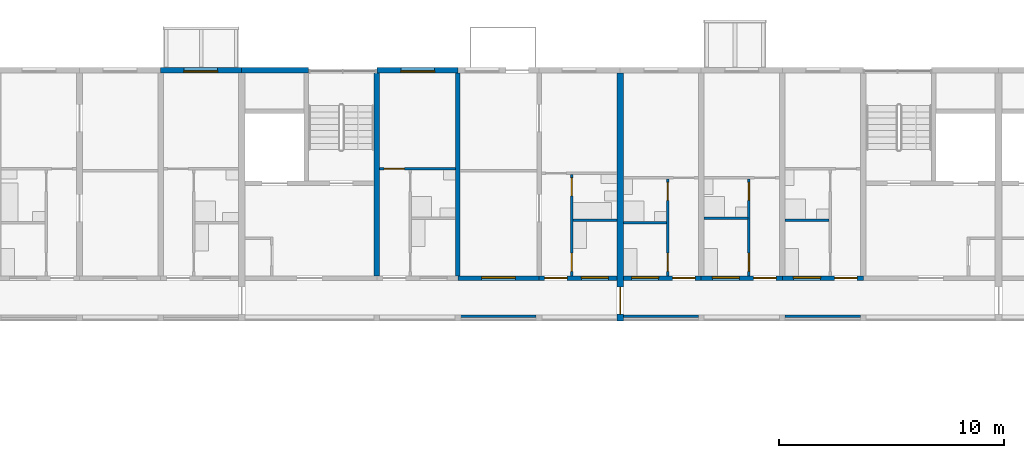
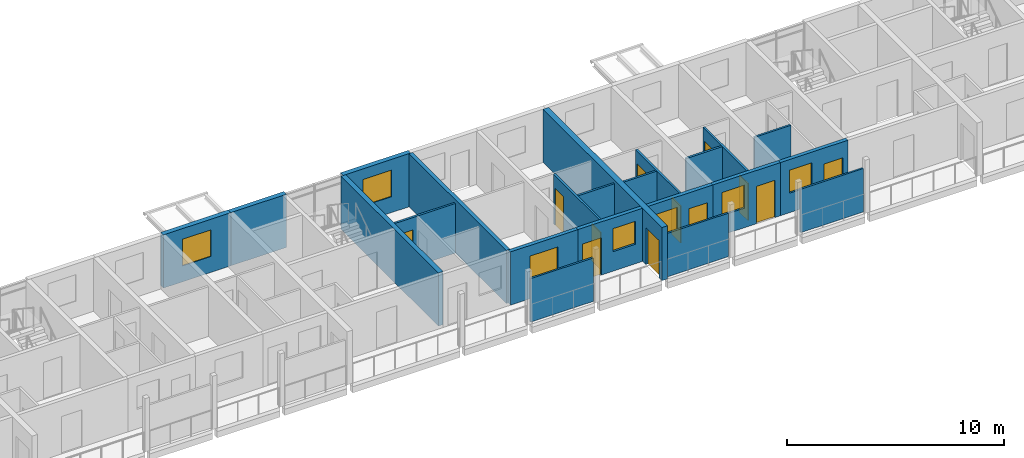
# One storey, part 70 of 115: 22 walls, 12 doors, 7 windows, 19 openings.
"""IFC4 building model written with IfcOpenShell, lengths in metres."""

from ifc_helpers import new_model, si_unit, direction, frame, frame_2d, origin, place, context, subcontext, project, spatial, rectangle, extrude, material, layer, layer_set, type_object, element, fill, save


model = new_model("IFC4")

# Units and contexts
model_context = context("Model", 3, precision=1e-05, world=origin(), true_north=direction((0.0, 1.0)))
body_context = subcontext(model_context, "Body", "Model", "MODEL_VIEW")
ifc_project = project(units=[si_unit("LENGTHUNIT", "METRE"), si_unit("AREAUNIT", "SQUARE_METRE"), si_unit("VOLUMEUNIT", "CUBIC_METRE"), si_unit("PLANEANGLEUNIT", "RADIAN"), si_unit("MASSUNIT", "GRAM", prefix="KILO")], contexts=[model_context])

# Site, building, storey
site_placement = place(None, origin())
site = spatial("IfcSite", under=ifc_project, at=site_placement, CompositionType="ELEMENT")
building_placement = place(site_placement, origin())
building = spatial("IfcBuilding", under=site, at=building_placement, Name="Ridgestep Commons", CompositionType="ELEMENT")
storey_placement = place(building_placement, frame((0.0, 0.0, 6.0)))
storey = spatial("IfcBuildingStorey", under=building, at=storey_placement, Name="L02", CompositionType="ELEMENT", Elevation=6.0)

# Walls
ifc_material_1 = material(Name="Concrete C30/37", Category="concrete")
ifc_layer_1 = layer(ifc_material_1, 0.25)
ifc_layer_set_1 = layer_set([ifc_layer_1], Name="Core cross wall 250")
wall_type_1 = type_object("IfcWallType", Name="Core cross wall 250", PredefinedType="SHEAR", material=ifc_layer_set_1)
wall_1_placement = place(storey_placement, frame((203.199951171875, 68.0, 0.0), z_axis=(0.0, 0.0, 1.0), x_axis=(0.0, 1.0, 0.0)))
element("IfcWall", 1, at=wall_1_placement, inside=storey, type_object=wall_type_1, Name="Cross wall C-02-2032", PredefinedType="SHEAR", context=body_context, shape_type="SweptSolid", body=[
    extrude(rectangle(XDim=9.0, YDim=0.25, at=frame_2d((4.5, 0.0))), origin(), (0.0, 0.0, 1.0), 3.0),
])
ifc_material_2 = material(Name="Precast concrete C40/50", Category="concrete")
ifc_layer_2 = layer(ifc_material_2, 0.199951171875)
ifc_layer_set_2 = layer_set([ifc_layer_2], Name="Cross wall 200")
wall_type_2 = type_object("IfcWallType", Name="Cross wall 200", PredefinedType="SHEAR", material=ifc_layer_set_2)
wall_2_placement = place(storey_placement, frame((206.800048828125, 68.0, 0.0), z_axis=(0.0, 0.0, 1.0), x_axis=(0.0, 1.0, 0.0)))
element("IfcWall", 2, at=wall_2_placement, inside=storey, type_object=wall_type_2, Name="Cross wall C-02-2068", PredefinedType="SHEAR", context=body_context, shape_type="SweptSolid", body=[
    extrude(rectangle(XDim=9.0, YDim=0.199951171875, at=frame_2d((4.5, 0.0))), origin(), (0.0, 0.0, 1.0), 3.0),
])

# Wall, opening, door
ifc_material_3 = material(Name="Precast concrete C40/50", Category="concrete")
ifc_layer_3 = layer(ifc_material_3, 0.300048828125)
ifc_layer_set_3 = layer_set([ifc_layer_3], Name="Division wall 300")
wall_type_3 = type_object("IfcWallType", Name="Division wall 300", PredefinedType="SHEAR", material=ifc_layer_set_3)
wall_3_placement = place(storey_placement, frame((214.0, 66.0, 0.0), z_axis=(0.0, 0.0, 1.0), x_axis=(0.0, 1.0, 0.0)))
wall_3 = element("IfcWall", 3, at=wall_3_placement, inside=storey, type_object=wall_type_3, Name="Cross wall C-02-2140", PredefinedType="SHEAR", context=body_context, shape_type="SweptSolid", body=[
    extrude(rectangle(XDim=11.0, YDim=0.300048828125, at=frame_2d((5.5, 0.0))), origin(), (0.0, 0.0, 1.0), 3.0),
])
opening_1_placement = place(wall_3_placement, frame((0.300048828125, 0.0, 0.0)))
opening_1 = element("IfcOpeningElement", 4, at=opening_1_placement, cuts=wall_3, Name="Opening C/02/G2140", PredefinedType="OPENING", context=body_context, shape_type="SweptSolid", body=[
    extrude(rectangle(XDim=1.199951171875, YDim=2.10009765625, at=frame_2d((0.60009765625, 1.050048828125))), frame((0.0, 0.159912109375, 0.0), z_axis=(0.0, -1.0, 0.0), x_axis=(1.0, 0.0, 0.0)), (0.0, 0.0, 1.0), 0.320068359375),
])
ifc_material_4 = material(Name="Steel fire door", Category="steel")
door_type_1 = type_object("IfcDoorType", Name="Division fire door 1200 x 2100 EI 240", OperationType="DOUBLE_DOOR_SINGLE_SWING", PredefinedType="DOOR", material=ifc_material_4)
door_1_placement = place(opening_1_placement, origin())
door_1 = element("IfcDoor", 5, at=door_1_placement, inside=storey, type_object=door_type_1, Name="Division fire door C/02/G2140", OperationType="DOUBLE_DOOR_SINGLE_SWING", OverallHeight=2.10009765625, OverallWidth=1.199951171875, PredefinedType="DOOR", context=body_context, shape_type="SweptSolid", body=[
    extrude(rectangle(XDim=1.199951171875, YDim=2.10009765625, at=frame_2d((0.60009765625, 1.050048828125))), frame((0.0, 0.02490234375, 0.0), z_axis=(0.0, -1.0, 0.0), x_axis=(1.0, 0.0, 0.0)), (0.0, 0.0, 1.0), 0.050048828125),
])
fill(opening_1, door_1)

# Wall, opening, window
ifc_material_5 = material(Name="Precast concrete C40/50", Category="concrete")
ifc_layer_4 = layer(ifc_material_5, 0.25)
ifc_layer_set_4 = layer_set([ifc_layer_4], Name="North facade panel 250")
wall_type_4 = type_object("IfcWallType", Name="North facade panel 250", PredefinedType="SOLIDWALL", material=ifc_layer_set_4)
wall_4_placement = place(storey_placement, frame((193.60009765625, 77.125, 0.0), z_axis=(0.0, 0.0, 1.0), x_axis=(1.0, 0.0, 0.0)))
wall_4 = element("IfcWall", 6, at=wall_4_placement, inside=storey, type_object=wall_type_4, Name="North panel C3T1 L02", PredefinedType="SOLIDWALL", context=body_context, shape_type="SweptSolid", body=[
    extrude(rectangle(XDim=3.599853515625, YDim=0.25, at=frame_2d((1.7998046875, 0.0))), origin(), (0.0, 0.0, 1.0), 3.0),
])
opening_2_placement = place(wall_4_placement, frame((1.03759765625, 0.0, 0.89990234375)))
opening_2 = element("IfcOpeningElement", 7, at=opening_2_placement, cuts=wall_4, Name="Opening W16", PredefinedType="OPENING", context=body_context, shape_type="SweptSolid", body=[
    extrude(rectangle(XDim=1.5, YDim=1.5, at=frame_2d((0.75, 0.75))), frame((0.0, 0.135009765625, 0.0), z_axis=(0.0, -1.0, 0.0), x_axis=(1.0, 0.0, 0.0)), (0.0, 0.0, 1.0), 0.27001953125),
])
ifc_material_6 = material(Name="Aluminium 6063-T6 and glass", Category="aluminium")
window_type_1 = type_object("IfcWindowType", Name="Flat window 1500 x 1500", PartitioningType="DOUBLE_PANEL_VERTICAL", PredefinedType="WINDOW", material=ifc_material_6)
window_1_placement = place(opening_2_placement, origin())
window_1 = element("IfcWindow", 8, at=window_1_placement, inside=storey, type_object=window_type_1, Name="Window C3-02a 2", OverallHeight=1.5, OverallWidth=1.5, PartitioningType="SINGLE_PANEL", PredefinedType="WINDOW", context=body_context, shape_type="SweptSolid", body=[
    extrude(rectangle(XDim=1.5, YDim=1.5, at=frame_2d((0.75, 0.75))), frame((0.0, -0.02490234375, 0.0), z_axis=(0.0, -1.0, 0.0), x_axis=(1.0, 0.0, 0.0)), (0.0, 0.0, 1.0), 0.06005859375),
])
fill(opening_2, window_1)

# Wall
wall_5_placement = place(storey_placement, frame((197.199951171875, 77.125, 0.0), z_axis=(0.0, 0.0, 1.0), x_axis=(1.0, 0.0, 0.0)))
element("IfcWall", 9, at=wall_5_placement, inside=storey, type_object=wall_type_4, Name="North panel C4C L02", PredefinedType="SOLIDWALL", context=body_context, shape_type="SweptSolid", body=[
    extrude(rectangle(XDim=2.97509765625, YDim=0.25, at=frame_2d((1.487548828125, 0.0))), origin(), (0.0, 0.0, 1.0), 3.0),
])

# Wall, opening, window
wall_6_placement = place(storey_placement, frame((203.199951171875, 77.125, 0.0), z_axis=(0.0, 0.0, 1.0), x_axis=(1.0, 0.0, 0.0)))
wall_6 = element("IfcWall", 10, at=wall_6_placement, inside=storey, type_object=wall_type_4, Name="North panel C4T3 L02", PredefinedType="SOLIDWALL", context=body_context, shape_type="SweptSolid", body=[
    extrude(rectangle(XDim=3.60009765625, YDim=0.25, at=frame_2d((1.800048828125, 0.0))), origin(), (0.0, 0.0, 1.0), 3.0),
])
opening_3_placement = place(wall_6_placement, frame((1.0625, 0.0, 0.89990234375)))
opening_3 = element("IfcOpeningElement", 11, at=opening_3_placement, cuts=wall_6, Name="Opening W16", PredefinedType="OPENING", context=body_context, shape_type="SweptSolid", body=[
    extrude(rectangle(XDim=1.5, YDim=1.5, at=frame_2d((0.75, 0.75))), frame((0.0, 0.135009765625, 0.0), z_axis=(0.0, -1.0, 0.0), x_axis=(1.0, 0.0, 0.0)), (0.0, 0.0, 1.0), 0.27001953125),
])
window_2_placement = place(opening_3_placement, origin())
window_2 = element("IfcWindow", 12, at=window_2_placement, inside=storey, type_object=window_type_1, Name="Window C4-02b 2", OverallHeight=1.5, OverallWidth=1.5, PartitioningType="SINGLE_PANEL", PredefinedType="WINDOW", context=body_context, shape_type="SweptSolid", body=[
    extrude(rectangle(XDim=1.5, YDim=1.5, at=frame_2d((0.75, 0.75))), frame((0.0, -0.02490234375, 0.0), z_axis=(0.0, -1.0, 0.0), x_axis=(1.0, 0.0, 0.0)), (0.0, 0.0, 1.0), 0.06005859375),
])
fill(opening_3, window_2)

# Wall, openings, doors
ifc_material_7 = material(Name="Common brick 110 mm", Category="masonry")
ifc_layer_5 = layer(ifc_material_7, 0.110107421875)
ifc_layer_set_5 = layer_set([ifc_layer_5], Name="Partition 110")
wall_type_5 = type_object("IfcWallType", Name="Partition 110", PredefinedType="PARTITIONING", material=ifc_layer_set_5)
wall_7_placement = place(storey_placement, frame((211.85498046875, 68.0, 0.0), z_axis=(0.0, 0.0, 1.0), x_axis=(0.0, 1.0, 0.0)))
wall_7 = element("IfcWall", 13, at=wall_7_placement, inside=storey, type_object=wall_type_5, Name="Partition C4-02a", PredefinedType="PARTITIONING", context=body_context, shape_type="SweptSolid", body=[
    extrude(rectangle(XDim=4.5, YDim=0.110107421875, at=frame_2d((2.25, 0.0))), origin(), (0.0, 0.0, 1.0), 2.800048828125),
])
opening_4_placement = place(wall_7_placement, frame((0.199951171875, 0.0, 0.0)))
opening_4 = element("IfcOpeningElement", 14, at=opening_4_placement, cuts=wall_7, Name="Opening C4-02a/2", PredefinedType="OPENING", context=body_context, shape_type="SweptSolid", body=[
    extrude(rectangle(XDim=0.800048828125, YDim=2.10009765625, at=frame_2d((0.39990234375, 1.050048828125))), frame((0.0, 0.06494140625, 0.0), z_axis=(0.0, -1.0, 0.0), x_axis=(1.0, 0.0, 0.0)), (0.0, 0.0, 1.0), 0.130126953125),
])
opening_5_placement = place(wall_7_placement, frame((3.550048828125, 0.0, 0.0)))
opening_5 = element("IfcOpeningElement", 15, at=opening_5_placement, cuts=wall_7, Name="Opening C4-02a/3", PredefinedType="OPENING", context=body_context, shape_type="SweptSolid", body=[
    extrude(rectangle(XDim=0.800048828125, YDim=2.10009765625, at=frame_2d((0.39990234375, 1.050048828125))), frame((0.0, 0.06494140625, 0.0), z_axis=(0.0, -1.0, 0.0), x_axis=(1.0, 0.0, 0.0)), (0.0, 0.0, 1.0), 0.130126953125),
])
ifc_material_8 = material(Name="Timber door leaf", Category="wood")
door_type_2 = type_object("IfcDoorType", Name="Internal door 800 x 2100", OperationType="NOTDEFINED", PredefinedType="DOOR", material=ifc_material_8)
door_2_placement = place(opening_4_placement, origin())
door_2 = element("IfcDoor", 16, at=door_2_placement, inside=storey, type_object=door_type_2, Name="Internal door C4-02a/2", OperationType="SINGLE_SWING_RIGHT", OverallHeight=2.10009765625, OverallWidth=0.800048828125, PredefinedType="DOOR", context=body_context, shape_type="SweptSolid", body=[
    extrude(rectangle(XDim=0.800048828125, YDim=2.10009765625, at=frame_2d((0.39990234375, 1.050048828125))), frame((0.0, 0.02490234375, 0.0), z_axis=(0.0, -1.0, 0.0), x_axis=(1.0, 0.0, 0.0)), (0.0, 0.0, 1.0), 0.050048828125),
])
fill(opening_4, door_2)
door_3_placement = place(opening_5_placement, origin())
door_3 = element("IfcDoor", 17, at=door_3_placement, inside=storey, type_object=door_type_2, Name="Internal door C4-02a/3", OperationType="SINGLE_SWING_LEFT", OverallHeight=2.10009765625, OverallWidth=0.800048828125, PredefinedType="DOOR", context=body_context, shape_type="SweptSolid", body=[
    extrude(rectangle(XDim=0.800048828125, YDim=2.10009765625, at=frame_2d((0.39990234375, 1.050048828125))), frame((0.0, 0.02490234375, 0.0), z_axis=(0.0, -1.0, 0.0), x_axis=(1.0, 0.0, 0.0)), (0.0, 0.0, 1.0), 0.050048828125),
])
fill(opening_5, door_3)

# Wall
wall_8_placement = place(storey_placement, frame((211.909912109375, 70.455078125, 0.0), z_axis=(0.0, 0.0, 1.0), x_axis=(1.0, 0.0, 0.0)))
element("IfcWall", 18, at=wall_8_placement, inside=storey, type_object=wall_type_5, Name="Partition C4-02a", PredefinedType="PARTITIONING", context=body_context, shape_type="SweptSolid", body=[
    extrude(rectangle(XDim=1.940185546875, YDim=0.110107421875, at=frame_2d((0.97021484375, 0.0))), origin(), (0.0, 0.0, 1.0), 2.800048828125),
])

# Wall, opening, door
wall_9_placement = place(storey_placement, frame((203.324951171875, 72.7548828125, 0.0), z_axis=(0.0, 0.0, 1.0), x_axis=(1.0, 0.0, 0.0)))
wall_9 = element("IfcWall", 19, at=wall_9_placement, inside=storey, type_object=wall_type_5, Name="Partition C4-02b", PredefinedType="PARTITIONING", context=body_context, shape_type="SweptSolid", body=[
    extrude(rectangle(XDim=3.375, YDim=0.110107421875, at=frame_2d((1.6875, 0.0))), origin(), (0.0, 0.0, 1.0), 2.800048828125),
])
opening_6_placement = place(wall_9_placement, frame((0.199951171875, 0.0, 0.0)))
opening_6 = element("IfcOpeningElement", 20, at=opening_6_placement, cuts=wall_9, Name="Opening C4-02b/4", PredefinedType="OPENING", context=body_context, shape_type="SweptSolid", body=[
    extrude(rectangle(XDim=0.89990234375, YDim=2.10009765625, at=frame_2d((0.449951171875, 1.050048828125))), frame((0.0, 0.06494140625, 0.0), z_axis=(0.0, -1.0, 0.0), x_axis=(1.0, 0.0, 0.0)), (0.0, 0.0, 1.0), 0.130126953125),
])
ifc_material_9 = material(Name="Timber door leaf", Category="wood")
door_type_3 = type_object("IfcDoorType", Name="Internal door 900 x 2100", OperationType="NOTDEFINED", PredefinedType="DOOR", material=ifc_material_9)
door_4_placement = place(opening_6_placement, origin())
door_4 = element("IfcDoor", 21, at=door_4_placement, inside=storey, type_object=door_type_3, Name="Internal door C4-02b/4", OperationType="SINGLE_SWING_LEFT", OverallHeight=2.10009765625, OverallWidth=0.89990234375, PredefinedType="DOOR", context=body_context, shape_type="SweptSolid", body=[
    extrude(rectangle(XDim=0.89990234375, YDim=2.10009765625, at=frame_2d((0.449951171875, 1.050048828125))), frame((0.0, 0.02490234375, 0.0), z_axis=(0.0, -1.0, 0.0), x_axis=(1.0, 0.0, 0.0)), (0.0, 0.0, 1.0), 0.050048828125),
])
fill(opening_6, door_4)

# Wall
wall_10_placement = place(storey_placement, frame((214.14990234375, 70.35498046875, 0.0), z_axis=(0.0, 0.0, 1.0), x_axis=(1.0, 0.0, 0.0)))
element("IfcWall", 22, at=wall_10_placement, inside=storey, type_object=wall_type_5, Name="Partition C5-02a", PredefinedType="PARTITIONING", context=body_context, shape_type="SweptSolid", body=[
    extrude(rectangle(XDim=1.9150390625, YDim=0.110107421875, at=frame_2d((0.95751953125, 0.0))), origin(), (0.0, 0.0, 1.0), 2.800048828125),
])

# Wall, openings, doors
wall_11_placement = place(storey_placement, frame((216.1201171875, 68.0, 0.0), z_axis=(0.0, 0.0, 1.0), x_axis=(0.0, 1.0, 0.0)))
wall_11 = element("IfcWall", 23, at=wall_11_placement, inside=storey, type_object=wall_type_5, Name="Partition C5-02a", PredefinedType="PARTITIONING", context=body_context, shape_type="SweptSolid", body=[
    extrude(rectangle(XDim=4.300048828125, YDim=0.110107421875, at=frame_2d((2.14990234375, 0.0))), origin(), (0.0, 0.0, 1.0), 2.800048828125),
])
opening_7_placement = place(wall_11_placement, frame((0.199951171875, 0.0, 0.0)))
opening_7 = element("IfcOpeningElement", 24, at=opening_7_placement, cuts=wall_11, Name="Opening C5-02a/2", PredefinedType="OPENING", context=body_context, shape_type="SweptSolid", body=[
    extrude(rectangle(XDim=0.800048828125, YDim=2.10009765625, at=frame_2d((0.39990234375, 1.050048828125))), frame((0.0, 0.06494140625, 0.0), z_axis=(0.0, -1.0, 0.0), x_axis=(1.0, 0.0, 0.0)), (0.0, 0.0, 1.0), 0.130126953125),
])
opening_8_placement = place(wall_11_placement, frame((3.35009765625, 0.0, 0.0)))
opening_8 = element("IfcOpeningElement", 25, at=opening_8_placement, cuts=wall_11, Name="Opening C5-02a/3", PredefinedType="OPENING", context=body_context, shape_type="SweptSolid", body=[
    extrude(rectangle(XDim=0.800048828125, YDim=2.10009765625, at=frame_2d((0.39990234375, 1.050048828125))), frame((0.0, 0.06494140625, 0.0), z_axis=(0.0, -1.0, 0.0), x_axis=(1.0, 0.0, 0.0)), (0.0, 0.0, 1.0), 0.130126953125),
])
door_5_placement = place(opening_7_placement, origin())
door_5 = element("IfcDoor", 26, at=door_5_placement, inside=storey, type_object=door_type_2, Name="Internal door C5-02a/2", OperationType="SINGLE_SWING_LEFT", OverallHeight=2.10009765625, OverallWidth=0.800048828125, PredefinedType="DOOR", context=body_context, shape_type="SweptSolid", body=[
    extrude(rectangle(XDim=0.800048828125, YDim=2.10009765625, at=frame_2d((0.39990234375, 1.050048828125))), frame((0.0, 0.02490234375, 0.0), z_axis=(0.0, -1.0, 0.0), x_axis=(1.0, 0.0, 0.0)), (0.0, 0.0, 1.0), 0.050048828125),
])
fill(opening_7, door_5)
door_6_placement = place(opening_8_placement, origin())
door_6 = element("IfcDoor", 27, at=door_6_placement, inside=storey, type_object=door_type_2, Name="Internal door C5-02a/3", OperationType="SINGLE_SWING_RIGHT", OverallHeight=2.10009765625, OverallWidth=0.800048828125, PredefinedType="DOOR", context=body_context, shape_type="SweptSolid", body=[
    extrude(rectangle(XDim=0.800048828125, YDim=2.10009765625, at=frame_2d((0.39990234375, 1.050048828125))), frame((0.0, 0.02490234375, 0.0), z_axis=(0.0, -1.0, 0.0), x_axis=(1.0, 0.0, 0.0)), (0.0, 0.0, 1.0), 0.050048828125),
])
fill(opening_8, door_6)

# Wall
wall_12_placement = place(storey_placement, frame((217.72509765625, 70.554931640625, 0.0), z_axis=(0.0, 0.0, 1.0), x_axis=(1.0, 0.0, 0.0)))
element("IfcWall", 28, at=wall_12_placement, inside=storey, type_object=wall_type_5, Name="Partition C5-02b", PredefinedType="PARTITIONING", context=body_context, shape_type="SweptSolid", body=[
    extrude(rectangle(XDim=1.93994140625, YDim=0.110107421875, at=frame_2d((0.969970703125, 0.0))), origin(), (0.0, 0.0, 1.0), 2.800048828125),
])

# Wall, openings, doors
wall_13_placement = place(storey_placement, frame((219.719970703125, 68.0, 0.0), z_axis=(0.0, 0.0, 1.0), x_axis=(0.0, 1.0, 0.0)))
wall_13 = element("IfcWall", 29, at=wall_13_placement, inside=storey, type_object=wall_type_5, Name="Partition C5-02b", PredefinedType="PARTITIONING", context=body_context, shape_type="SweptSolid", body=[
    extrude(rectangle(XDim=4.300048828125, YDim=0.110107421875, at=frame_2d((2.14990234375, 0.0))), origin(), (0.0, 0.0, 1.0), 2.800048828125),
])
opening_9_placement = place(wall_13_placement, frame((0.199951171875, 0.0, 0.0)))
opening_9 = element("IfcOpeningElement", 30, at=opening_9_placement, cuts=wall_13, Name="Opening C5-02b/2", PredefinedType="OPENING", context=body_context, shape_type="SweptSolid", body=[
    extrude(rectangle(XDim=0.800048828125, YDim=2.10009765625, at=frame_2d((0.39990234375, 1.050048828125))), frame((0.0, 0.06494140625, 0.0), z_axis=(0.0, -1.0, 0.0), x_axis=(1.0, 0.0, 0.0)), (0.0, 0.0, 1.0), 0.130126953125),
])
opening_10_placement = place(wall_13_placement, frame((3.35009765625, 0.0, 0.0)))
opening_10 = element("IfcOpeningElement", 31, at=opening_10_placement, cuts=wall_13, Name="Opening C5-02b/3", PredefinedType="OPENING", context=body_context, shape_type="SweptSolid", body=[
    extrude(rectangle(XDim=0.800048828125, YDim=2.10009765625, at=frame_2d((0.39990234375, 1.050048828125))), frame((0.0, 0.06494140625, 0.0), z_axis=(0.0, -1.0, 0.0), x_axis=(1.0, 0.0, 0.0)), (0.0, 0.0, 1.0), 0.130126953125),
])
door_7_placement = place(opening_9_placement, origin())
door_7 = element("IfcDoor", 32, at=door_7_placement, inside=storey, type_object=door_type_2, Name="Internal door C5-02b/2", OperationType="SINGLE_SWING_LEFT", OverallHeight=2.10009765625, OverallWidth=0.800048828125, PredefinedType="DOOR", context=body_context, shape_type="SweptSolid", body=[
    extrude(rectangle(XDim=0.800048828125, YDim=2.10009765625, at=frame_2d((0.39990234375, 1.050048828125))), frame((0.0, 0.02490234375, 0.0), z_axis=(0.0, -1.0, 0.0), x_axis=(1.0, 0.0, 0.0)), (0.0, 0.0, 1.0), 0.050048828125),
])
fill(opening_9, door_7)
door_8_placement = place(opening_10_placement, origin())
door_8 = element("IfcDoor", 33, at=door_8_placement, inside=storey, type_object=door_type_2, Name="Internal door C5-02b/3", OperationType="SINGLE_SWING_RIGHT", OverallHeight=2.10009765625, OverallWidth=0.800048828125, PredefinedType="DOOR", context=body_context, shape_type="SweptSolid", body=[
    extrude(rectangle(XDim=0.800048828125, YDim=2.10009765625, at=frame_2d((0.39990234375, 1.050048828125))), frame((0.0, 0.02490234375, 0.0), z_axis=(0.0, -1.0, 0.0), x_axis=(1.0, 0.0, 0.0)), (0.0, 0.0, 1.0), 0.050048828125),
])
fill(opening_10, door_8)

# Walls
wall_14_placement = place(storey_placement, frame((221.324951171875, 70.455078125, 0.0), z_axis=(0.0, 0.0, 1.0), x_axis=(1.0, 0.0, 0.0)))
element("IfcWall", 34, at=wall_14_placement, inside=storey, type_object=wall_type_5, Name="Partition C5-02c", PredefinedType="PARTITIONING", context=body_context, shape_type="SweptSolid", body=[
    extrude(rectangle(XDim=1.93994140625, YDim=0.110107421875, at=frame_2d((0.969970703125, 0.0))), origin(), (0.0, 0.0, 1.0), 2.800048828125),
])
ifc_material_10 = material(Name="Precast concrete C30/37", Category="concrete")
ifc_layer_6 = layer(ifc_material_10, 0.10009765625)
ifc_layer_set_6 = layer_set([ifc_layer_6], Name="Perforated gallery screen 3325 x 2450 x 100")
wall_type_6 = type_object("IfcWallType", Name="Perforated gallery screen 3325 x 2450 x 100", PredefinedType="SOLIDWALL", material=ifc_layer_set_6)
wall_15_placement = place(storey_placement, frame((214.14990234375, 66.199951171875, 0.0), z_axis=(0.0, 0.0, 1.0), x_axis=(1.0, 0.0, 0.0)))
element("IfcWall", 35, at=wall_15_placement, inside=storey, type_object=wall_type_6, Name="Gallery screen C5T1 02", PredefinedType="SOLIDWALL", context=body_context, shape_type="SweptSolid", body=[
    extrude(rectangle(XDim=3.3251953125, YDim=0.10009765625, at=frame_2d((1.66259765625, 0.0))), origin(), (0.0, 0.0, 1.0), 2.449951171875),
])
ifc_material_11 = material(Name="Precast concrete C30/37", Category="concrete")
ifc_layer_7 = layer(ifc_material_11, 0.10009765625)
ifc_layer_set_7 = layer_set([ifc_layer_7], Name="Perforated gallery screen 3350 x 2450 x 100")
wall_type_7 = type_object("IfcWallType", Name="Perforated gallery screen 3350 x 2450 x 100", PredefinedType="SOLIDWALL", material=ifc_layer_set_7)
wall_16_placement = place(storey_placement, frame((206.925048828125, 66.199951171875, 0.0), z_axis=(0.0, 0.0, 1.0), x_axis=(1.0, 0.0, 0.0)))
element("IfcWall", 36, at=wall_16_placement, inside=storey, type_object=wall_type_7, Name="Gallery screen C4T2 02", PredefinedType="SOLIDWALL", context=body_context, shape_type="SweptSolid", body=[
    extrude(rectangle(XDim=3.349853515625, YDim=0.10009765625, at=frame_2d((1.6748046875, 0.0))), origin(), (0.0, 0.0, 1.0), 2.449951171875),
])
wall_17_placement = place(storey_placement, frame((221.324951171875, 66.199951171875, 0.0), z_axis=(0.0, 0.0, 1.0), x_axis=(1.0, 0.0, 0.0)))
element("IfcWall", 37, at=wall_17_placement, inside=storey, type_object=wall_type_7, Name="Gallery screen C5T3 02", PredefinedType="SOLIDWALL", context=body_context, shape_type="SweptSolid", body=[
    extrude(rectangle(XDim=3.35009765625, YDim=0.10009765625, at=frame_2d((1.675048828125, 0.0))), origin(), (0.0, 0.0, 1.0), 2.449951171875),
])

# Wall, opening, window
ifc_material_12 = material(Name="Precast concrete C40/50", Category="concrete")
ifc_layer_8 = layer(ifc_material_12, 0.199951171875)
ifc_layer_set_8 = layer_set([ifc_layer_8], Name="South facade panel 200")
wall_type_8 = type_object("IfcWallType", Name="South facade panel 200", PredefinedType="SOLIDWALL", material=ifc_layer_set_8)
wall_18_placement = place(storey_placement, frame((206.800048828125, 67.89990234375, 0.0), z_axis=(0.0, 0.0, 1.0), x_axis=(1.0, 0.0, 0.0)))
wall_18 = element("IfcWall", 38, at=wall_18_placement, inside=storey, type_object=wall_type_8, Name="South panel C4T2 L02", PredefinedType="SOLIDWALL", context=body_context, shape_type="SweptSolid", body=[
    extrude(rectangle(XDim=3.599853515625, YDim=0.199951171875, at=frame_2d((1.7998046875, 0.0))), origin(), (0.0, 0.0, 1.0), 3.0),
])
opening_11_placement = place(wall_18_placement, frame((1.050048828125, 0.0, 0.89990234375)))
opening_11 = element("IfcOpeningElement", 39, at=opening_11_placement, cuts=wall_18, Name="Opening W16", PredefinedType="OPENING", context=body_context, shape_type="SweptSolid", body=[
    extrude(rectangle(XDim=1.5, YDim=1.5, at=frame_2d((0.75, 0.75))), frame((0.0, 0.10986328125, 0.0), z_axis=(0.0, -1.0, 0.0), x_axis=(1.0, 0.0, 0.0)), (0.0, 0.0, 1.0), 0.219970703125),
])
window_3_placement = place(opening_11_placement, origin())
window_3 = element("IfcWindow", 40, at=window_3_placement, inside=storey, type_object=window_type_1, Name="Window C4-02a 1", OverallHeight=1.5, OverallWidth=1.5, PartitioningType="SINGLE_PANEL", PredefinedType="WINDOW", context=body_context, shape_type="SweptSolid", body=[
    extrude(rectangle(XDim=1.5, YDim=1.5, at=frame_2d((0.75, 0.75))), frame((0.0, 0.06005859375, 0.0), z_axis=(0.0, -1.0, 0.0), x_axis=(1.0, 0.0, 0.0)), (0.0, 0.0, 1.0), 0.06005859375),
])
fill(opening_11, window_3)

# Wall, openings, door, window
wall_19_placement = place(storey_placement, frame((210.39990234375, 67.89990234375, 0.0), z_axis=(0.0, 0.0, 1.0), x_axis=(1.0, 0.0, 0.0)))
wall_19 = element("IfcWall", 41, at=wall_19_placement, inside=storey, type_object=wall_type_8, Name="South panel C4T1 L02", PredefinedType="SOLIDWALL", context=body_context, shape_type="SweptSolid", body=[
    extrude(rectangle(XDim=3.4501953125, YDim=0.199951171875, at=frame_2d((1.72509765625, 0.0))), origin(), (0.0, 0.0, 1.0), 3.0),
])
opening_12_placement = place(wall_19_placement, frame((1.8798828125, 0.0, 1.10009765625)))
opening_12 = element("IfcOpeningElement", 42, at=opening_12_placement, cuts=wall_19, Name="Opening W08", PredefinedType="OPENING", context=body_context, shape_type="SweptSolid", body=[
    extrude(rectangle(XDim=1.199951171875, YDim=1.300048828125, at=frame_2d((0.60009765625, 0.64990234375))), frame((0.0, 0.10986328125, 0.0), z_axis=(0.0, -1.0, 0.0), x_axis=(1.0, 0.0, 0.0)), (0.0, 0.0, 1.0), 0.219970703125),
])
opening_13_placement = place(wall_19_placement, frame((0.25, 0.0, 0.0)))
opening_13 = element("IfcOpeningElement", 43, at=opening_13_placement, cuts=wall_19, Name="Opening C4-02a/1", PredefinedType="OPENING", context=body_context, shape_type="SweptSolid", body=[
    extrude(rectangle(XDim=1.0, YDim=2.10009765625, at=frame_2d((0.5, 1.050048828125))), frame((0.0, 0.10986328125, 0.0), z_axis=(0.0, -1.0, 0.0), x_axis=(1.0, 0.0, 0.0)), (0.0, 0.0, 1.0), 0.219970703125),
])
ifc_material_13 = material(Name="Timber door leaf", Category="wood")
door_type_4 = type_object("IfcDoorType", Name="Flat entrance door 1000 x 2100 FD30S", OperationType="NOTDEFINED", PredefinedType="DOOR", material=ifc_material_13)
door_9_placement = place(opening_13_placement, origin())
door_9 = element("IfcDoor", 44, at=door_9_placement, inside=storey, type_object=door_type_4, Name="Flat entrance door C4-02a/1", OperationType="SINGLE_SWING_LEFT", OverallHeight=2.10009765625, OverallWidth=1.0, PredefinedType="DOOR", context=body_context, shape_type="SweptSolid", body=[
    extrude(rectangle(XDim=1.0, YDim=2.10009765625, at=frame_2d((0.5, 1.050048828125))), frame((0.0, 0.02490234375, 0.0), z_axis=(0.0, -1.0, 0.0), x_axis=(1.0, 0.0, 0.0)), (0.0, 0.0, 1.0), 0.050048828125),
])
fill(opening_13, door_9)
ifc_material_14 = material(Name="Aluminium 6063-T6 and glass", Category="aluminium")
window_type_2 = type_object("IfcWindowType", Name="Flat window 1200 x 1300", PartitioningType="SINGLE_PANEL", PredefinedType="WINDOW", material=ifc_material_14)
window_4_placement = place(opening_12_placement, origin())
window_4 = element("IfcWindow", 45, at=window_4_placement, inside=storey, type_object=window_type_2, Name="Window C4-02a 3", OverallHeight=1.300048828125, OverallWidth=1.199951171875, PartitioningType="SINGLE_PANEL", PredefinedType="WINDOW", context=body_context, shape_type="SweptSolid", body=[
    extrude(rectangle(XDim=1.199951171875, YDim=1.300048828125, at=frame_2d((0.60009765625, 0.64990234375))), frame((0.0, 0.06005859375, 0.0), z_axis=(0.0, -1.0, 0.0), x_axis=(1.0, 0.0, 0.0)), (0.0, 0.0, 1.0), 0.06005859375),
])
fill(opening_12, window_4)

wall_20_placement = place(storey_placement, frame((214.14990234375, 67.89990234375, 0.0), z_axis=(0.0, 0.0, 1.0), x_axis=(1.0, 0.0, 0.0)))
wall_20 = element("IfcWall", 46, at=wall_20_placement, inside=storey, type_object=wall_type_8, Name="South panel C5T1 L02", PredefinedType="SOLIDWALL", context=body_context, shape_type="SweptSolid", body=[
    extrude(rectangle(XDim=3.4501953125, YDim=0.199951171875, at=frame_2d((1.72509765625, 0.0))), origin(), (0.0, 0.0, 1.0), 3.0),
])
opening_14_placement = place(wall_20_placement, frame((0.357421875, 0.0, 1.10009765625)))
opening_14 = element("IfcOpeningElement", 47, at=opening_14_placement, cuts=wall_20, Name="Opening W08", PredefinedType="OPENING", context=body_context, shape_type="SweptSolid", body=[
    extrude(rectangle(XDim=1.199951171875, YDim=1.300048828125, at=frame_2d((0.60009765625, 0.64990234375))), frame((0.0, 0.10986328125, 0.0), z_axis=(0.0, -1.0, 0.0), x_axis=(1.0, 0.0, 0.0)), (0.0, 0.0, 1.0), 0.219970703125),
])
opening_15_placement = place(wall_20_placement, frame((2.175048828125, 0.0, 0.0)))
opening_15 = element("IfcOpeningElement", 48, at=opening_15_placement, cuts=wall_20, Name="Opening C5-02a/1", PredefinedType="OPENING", context=body_context, shape_type="SweptSolid", body=[
    extrude(rectangle(XDim=1.0, YDim=2.10009765625, at=frame_2d((0.5, 1.050048828125))), frame((0.0, 0.10986328125, 0.0), z_axis=(0.0, -1.0, 0.0), x_axis=(1.0, 0.0, 0.0)), (0.0, 0.0, 1.0), 0.219970703125),
])
door_10_placement = place(opening_15_placement, origin())
door_10 = element("IfcDoor", 49, at=door_10_placement, inside=storey, type_object=door_type_4, Name="Flat entrance door C5-02a/1", OperationType="SINGLE_SWING_RIGHT", OverallHeight=2.10009765625, OverallWidth=1.0, PredefinedType="DOOR", context=body_context, shape_type="SweptSolid", body=[
    extrude(rectangle(XDim=1.0, YDim=2.10009765625, at=frame_2d((0.5, 1.050048828125))), frame((0.0, 0.02490234375, 0.0), z_axis=(0.0, -1.0, 0.0), x_axis=(1.0, 0.0, 0.0)), (0.0, 0.0, 1.0), 0.050048828125),
])
fill(opening_15, door_10)
window_5_placement = place(opening_14_placement, origin())
window_5 = element("IfcWindow", 50, at=window_5_placement, inside=storey, type_object=window_type_2, Name="Window C5-02a 1", OverallHeight=1.300048828125, OverallWidth=1.199951171875, PartitioningType="SINGLE_PANEL", PredefinedType="WINDOW", context=body_context, shape_type="SweptSolid", body=[
    extrude(rectangle(XDim=1.199951171875, YDim=1.300048828125, at=frame_2d((0.60009765625, 0.64990234375))), frame((0.0, 0.06005859375, 0.0), z_axis=(0.0, -1.0, 0.0), x_axis=(1.0, 0.0, 0.0)), (0.0, 0.0, 1.0), 0.06005859375),
])
fill(opening_14, window_5)

wall_21_placement = place(storey_placement, frame((217.60009765625, 67.89990234375, 0.0), z_axis=(0.0, 0.0, 1.0), x_axis=(1.0, 0.0, 0.0)))
wall_21 = element("IfcWall", 51, at=wall_21_placement, inside=storey, type_object=wall_type_8, Name="South panel C5T2 L02", PredefinedType="SOLIDWALL", context=body_context, shape_type="SweptSolid", body=[
    extrude(rectangle(XDim=3.599853515625, YDim=0.199951171875, at=frame_2d((1.7998046875, 0.0))), origin(), (0.0, 0.0, 1.0), 3.0),
])
opening_16_placement = place(wall_21_placement, frame((0.4951171875, 0.0, 1.10009765625)))
opening_16 = element("IfcOpeningElement", 52, at=opening_16_placement, cuts=wall_21, Name="Opening W08", PredefinedType="OPENING", context=body_context, shape_type="SweptSolid", body=[
    extrude(rectangle(XDim=1.199951171875, YDim=1.300048828125, at=frame_2d((0.60009765625, 0.64990234375))), frame((0.0, 0.10986328125, 0.0), z_axis=(0.0, -1.0, 0.0), x_axis=(1.0, 0.0, 0.0)), (0.0, 0.0, 1.0), 0.219970703125),
])
opening_17_placement = place(wall_21_placement, frame((2.324951171875, 0.0, 0.0)))
opening_17 = element("IfcOpeningElement", 53, at=opening_17_placement, cuts=wall_21, Name="Opening C5-02b/1", PredefinedType="OPENING", context=body_context, shape_type="SweptSolid", body=[
    extrude(rectangle(XDim=1.0, YDim=2.10009765625, at=frame_2d((0.5, 1.050048828125))), frame((0.0, 0.10986328125, 0.0), z_axis=(0.0, -1.0, 0.0), x_axis=(1.0, 0.0, 0.0)), (0.0, 0.0, 1.0), 0.219970703125),
])
door_11_placement = place(opening_17_placement, origin())
door_11 = element("IfcDoor", 54, at=door_11_placement, inside=storey, type_object=door_type_4, Name="Flat entrance door C5-02b/1", OperationType="SINGLE_SWING_RIGHT", OverallHeight=2.10009765625, OverallWidth=1.0, PredefinedType="DOOR", context=body_context, shape_type="SweptSolid", body=[
    extrude(rectangle(XDim=1.0, YDim=2.10009765625, at=frame_2d((0.5, 1.050048828125))), frame((0.0, 0.02490234375, 0.0), z_axis=(0.0, -1.0, 0.0), x_axis=(1.0, 0.0, 0.0)), (0.0, 0.0, 1.0), 0.050048828125),
])
fill(opening_17, door_11)
window_6_placement = place(opening_16_placement, origin())
window_6 = element("IfcWindow", 55, at=window_6_placement, inside=storey, type_object=window_type_2, Name="Window C5-02b 1", OverallHeight=1.300048828125, OverallWidth=1.199951171875, PartitioningType="SINGLE_PANEL", PredefinedType="WINDOW", context=body_context, shape_type="SweptSolid", body=[
    extrude(rectangle(XDim=1.199951171875, YDim=1.300048828125, at=frame_2d((0.60009765625, 0.64990234375))), frame((0.0, 0.06005859375, 0.0), z_axis=(0.0, -1.0, 0.0), x_axis=(1.0, 0.0, 0.0)), (0.0, 0.0, 1.0), 0.06005859375),
])
fill(opening_16, window_6)

wall_22_placement = place(storey_placement, frame((221.199951171875, 67.89990234375, 0.0), z_axis=(0.0, 0.0, 1.0), x_axis=(1.0, 0.0, 0.0)))
wall_22 = element("IfcWall", 56, at=wall_22_placement, inside=storey, type_object=wall_type_8, Name="South panel C5T3 L02", PredefinedType="SOLIDWALL", context=body_context, shape_type="SweptSolid", body=[
    extrude(rectangle(XDim=3.60009765625, YDim=0.199951171875, at=frame_2d((1.800048828125, 0.0))), origin(), (0.0, 0.0, 1.0), 3.0),
])
opening_18_placement = place(wall_22_placement, frame((0.4951171875, 0.0, 1.10009765625)))
opening_18 = element("IfcOpeningElement", 57, at=opening_18_placement, cuts=wall_22, Name="Opening W08", PredefinedType="OPENING", context=body_context, shape_type="SweptSolid", body=[
    extrude(rectangle(XDim=1.199951171875, YDim=1.300048828125, at=frame_2d((0.60009765625, 0.64990234375))), frame((0.0, 0.10986328125, 0.0), z_axis=(0.0, -1.0, 0.0), x_axis=(1.0, 0.0, 0.0)), (0.0, 0.0, 1.0), 0.219970703125),
])
opening_19_placement = place(wall_22_placement, frame((2.324951171875, 0.0, 0.0)))
opening_19 = element("IfcOpeningElement", 58, at=opening_19_placement, cuts=wall_22, Name="Opening C5-02c/1", PredefinedType="OPENING", context=body_context, shape_type="SweptSolid", body=[
    extrude(rectangle(XDim=1.0, YDim=2.10009765625, at=frame_2d((0.5, 1.050048828125))), frame((0.0, 0.10986328125, 0.0), z_axis=(0.0, -1.0, 0.0), x_axis=(1.0, 0.0, 0.0)), (0.0, 0.0, 1.0), 0.219970703125),
])
door_12_placement = place(opening_19_placement, origin())
door_12 = element("IfcDoor", 59, at=door_12_placement, inside=storey, type_object=door_type_4, Name="Flat entrance door C5-02c/1", OperationType="SINGLE_SWING_RIGHT", OverallHeight=2.10009765625, OverallWidth=1.0, PredefinedType="DOOR", context=body_context, shape_type="SweptSolid", body=[
    extrude(rectangle(XDim=1.0, YDim=2.10009765625, at=frame_2d((0.5, 1.050048828125))), frame((0.0, 0.02490234375, 0.0), z_axis=(0.0, -1.0, 0.0), x_axis=(1.0, 0.0, 0.0)), (0.0, 0.0, 1.0), 0.050048828125),
])
fill(opening_19, door_12)
window_7_placement = place(opening_18_placement, origin())
window_7 = element("IfcWindow", 60, at=window_7_placement, inside=storey, type_object=window_type_2, Name="Window C5-02c 1", OverallHeight=1.300048828125, OverallWidth=1.199951171875, PartitioningType="SINGLE_PANEL", PredefinedType="WINDOW", context=body_context, shape_type="SweptSolid", body=[
    extrude(rectangle(XDim=1.199951171875, YDim=1.300048828125, at=frame_2d((0.60009765625, 0.64990234375))), frame((0.0, 0.06005859375, 0.0), z_axis=(0.0, -1.0, 0.0), x_axis=(1.0, 0.0, 0.0)), (0.0, 0.0, 1.0), 0.06005859375),
])
fill(opening_18, window_7)

save(model, "model.ifc")
